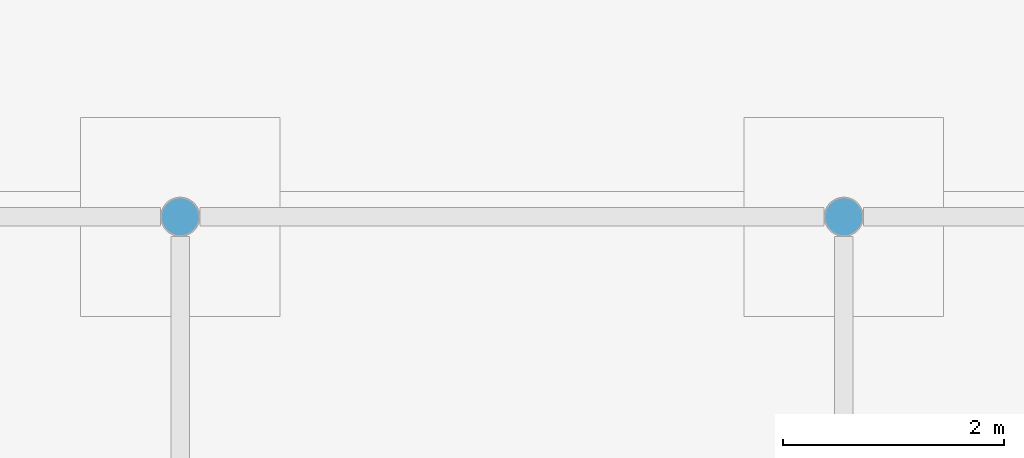
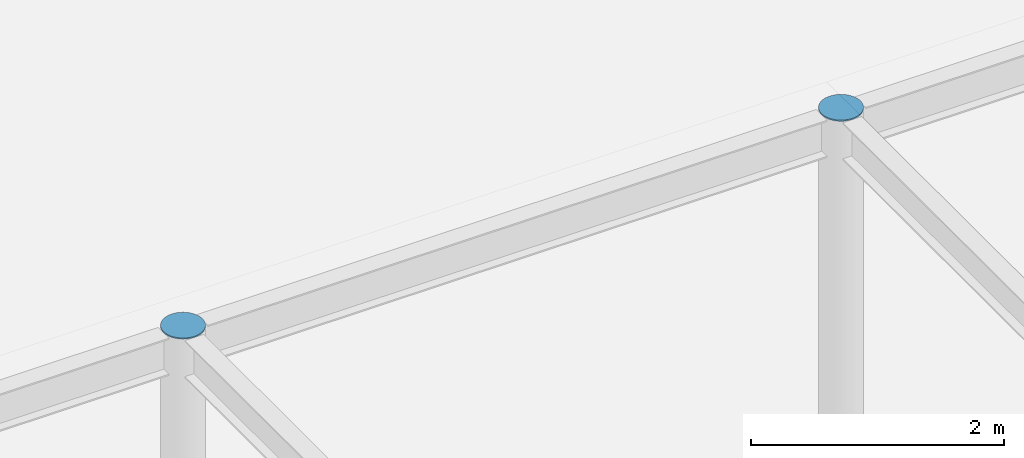
# One storey, part 104 of 132: 2 discrete accessories.
"""IFC4 building model written with IfcOpenShell, lengths in metres."""

from ifc_helpers import new_model, si_unit, direction, frame, origin, origin_2d, place, context, subcontext, project, spatial, circle, extrude, material, material_profile, profile_set, type_object, element, save


model = new_model("IFC4")

# Units and contexts
model_context = context("Model", 3, precision=1e-05, world=origin(), true_north=direction((0.0, 1.0)))
body_context = subcontext(model_context, "Body", "Model", "MODEL_VIEW")
ifc_project = project(units=[si_unit("LENGTHUNIT", "METRE"), si_unit("AREAUNIT", "SQUARE_METRE"), si_unit("VOLUMEUNIT", "CUBIC_METRE"), si_unit("PLANEANGLEUNIT", "RADIAN"), si_unit("MASSUNIT", "GRAM", prefix="KILO")], contexts=[model_context])

# Site, building, storey
site_placement = place(None, origin())
site = spatial("IfcSite", under=ifc_project, at=site_placement, CompositionType="ELEMENT")
building_placement = place(site_placement, origin())
building = spatial("IfcBuilding", under=site, at=building_placement, Name="Ravi Spectrum Wholesale Market", CompositionType="ELEMENT")
storey_placement = place(building_placement, origin())
storey = spatial("IfcBuildingStorey", under=building, at=storey_placement, Name="L00", CompositionType="ELEMENT", Elevation=0.0)

# Discrete accessories
ifc_material = material(Name="Steel S355", Category="steel")
ifc_material_profile = material_profile(ifc_material, circle(Radius=0.177734375, at=origin_2d()))
ifc_profile_set = profile_set([ifc_material_profile], Name="Steel S355")
discrete_accessory_type = type_object("IfcDiscreteAccessoryType", Name="End plate CHS 355.6x12.5", PredefinedType="BRACKET", material=ifc_profile_set)
for number, where, z_axis, x_axis, name in (
    (1, (252.0, 74.0, 4.97998046875), (0.0, 0.0, 1.0), (1.0, 0.0, 0.0), "End plate"),
    (2, (258.0, 74.0, 4.97998046875), (0.0, 0.0, 1.0), (1.0, 0.0, 0.0), "End plate"),
):
    element("IfcDiscreteAccessory", number, at=place(storey_placement, frame(where, z_axis=z_axis, x_axis=x_axis)), inside=storey, type_object=discrete_accessory_type, Name=name, PredefinedType="BRACKET", context=body_context, shape_type="SweptSolid", body=[
        extrude(circle(Radius=0.177734375, at=origin_2d()), origin(), (0.0, 0.0, 1.0), 0.011962890625),
    ])

save(model, "model.ifc")
